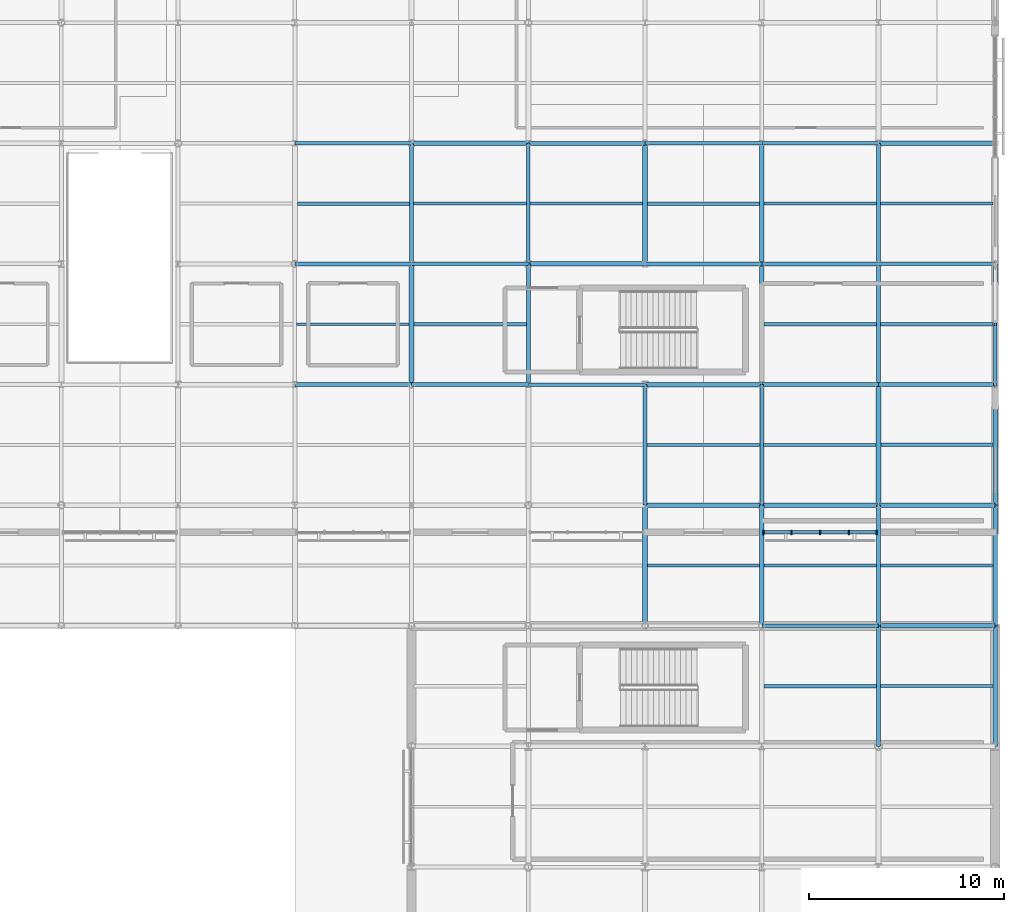
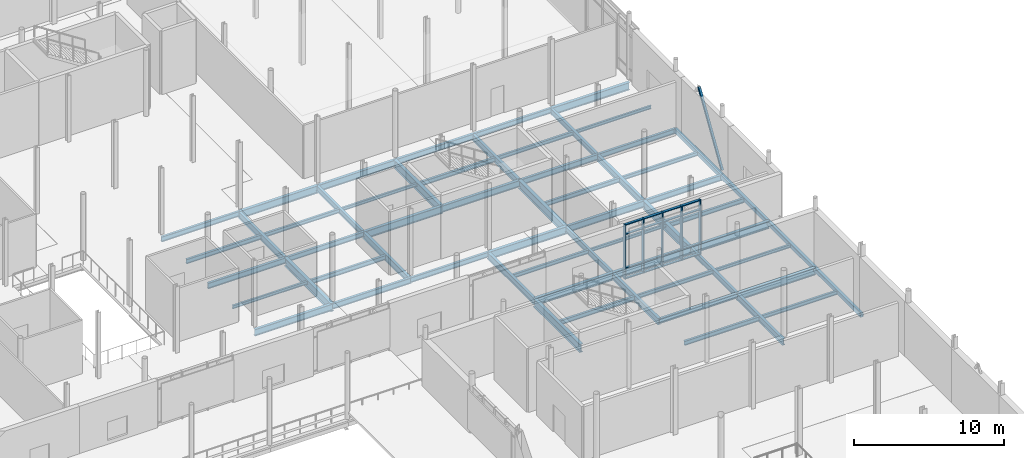
# One storey, part 48 of 105: 61 beams, 22 members, 1 element without a shape of its own.
"""IFC4 building model written with IfcOpenShell, lengths in metres."""

from ifc_helpers import new_model, si_unit, direction, frame, origin, origin_2d, place, context, subcontext, project, spatial, rectangle, hollow_rectangle, i_section, extrude, material, layer, layer_set, material_profile, profile_set, type_object, element, aggregate, save


model = new_model("IFC4")

# Units and contexts
model_context = context("Model", 3, precision=1e-05, world=origin(), true_north=direction((0.0, 1.0)))
body_context = subcontext(model_context, "Body", "Model", "MODEL_VIEW")
ifc_project = project(units=[si_unit("LENGTHUNIT", "METRE"), si_unit("AREAUNIT", "SQUARE_METRE"), si_unit("VOLUMEUNIT", "CUBIC_METRE"), si_unit("PLANEANGLEUNIT", "RADIAN"), si_unit("MASSUNIT", "GRAM", prefix="KILO")], contexts=[model_context])

# Site, building, storey
site_placement = place(None, origin())
site = spatial("IfcSite", under=ifc_project, at=site_placement, CompositionType="ELEMENT")
building_placement = place(site_placement, origin())
building = spatial("IfcBuilding", under=site, at=building_placement, Name="Mirzam Square Science Centre", CompositionType="ELEMENT")
storey_placement = place(building_placement, frame((0.0, 0.0, 5.39990234375)))
storey = spatial("IfcBuildingStorey", under=building, at=storey_placement, Name="L01", CompositionType="ELEMENT", Elevation=5.39990234375)

# Beams
ifc_material_1 = material(Name="Steel S355", Category="steel")
ifc_material_profile_1 = material_profile(ifc_material_1, i_section(OverallWidth=0.1787109375, OverallDepth=0.409423828125, WebThickness=0.0087890625, FlangeThickness=0.014404296875, FilletRadius=0.01025390625, at=origin_2d()), Name="406x178x67UB")
ifc_profile_set_1 = profile_set([ifc_material_profile_1], Name="Steel S355")
beam_type_1 = type_object("IfcBeamType", Name="BM-UB406", PredefinedType="BEAM", material=ifc_profile_set_1)
for number, where, z_axis, x_axis, name in (
    (1, (150.0, 37.199951171875, -0.464599609375), (1.0, 0.0, 0.0), (0.0, 1.0, 0.0), "L01 girder X26-7"),
    (2, (138.0, 49.60009765625, -0.45458984375), (1.0, 0.0, 0.0), (0.0, 1.0, 0.0), "L01 girder X24-9"),
    (3, (132.0, 55.800048828125, -0.45458984375), (1.0, 0.0, 0.0), (0.0, 1.0, 0.0), "L01 girder X23-10"),
    (4, (156.0, 55.800048828125, -0.45458984375), (1.0, 0.0, 0.0), (0.0, 1.0, 0.0), "L01 girder X27-10"),
    (5, (126.0, 62.0, -0.45458984375), (1.0, 0.0, 0.0), (0.0, 1.0, 0.0), "L01 girder X22-11"),
    (6, (150.0, 62.0, -0.45458984375), (1.0, 0.0, 0.0), (0.0, 1.0, 0.0), "L01 girder X26-11"),
):
    element("IfcBeam", number, at=place(storey_placement, frame(where, z_axis=z_axis, x_axis=x_axis)), inside=storey, type_object=beam_type_1, Name=name, PredefinedType="BEAM", context=body_context, shape_type="SweptSolid", body=[
        extrude(i_section(OverallWidth=0.1787109375, OverallDepth=0.409423828125, WebThickness=0.0087890625, FlangeThickness=0.014404296875, FilletRadius=0.01025390625, at=origin_2d()), origin(), (0.0, 0.0, 1.0), 6.0),
    ])
ifc_material_profile_2 = material_profile(ifc_material_1, i_section(OverallWidth=0.19140625, OverallDepth=0.4599609375, WebThickness=0.010009765625, FlangeThickness=0.01611328125, FilletRadius=0.01025390625, at=origin_2d()), Name="457x191x82UB")
ifc_profile_set_2 = profile_set([ifc_material_profile_2], Name="Steel S355")
beam_type_2 = type_object("IfcBeamType", Name="BM-UB457", PredefinedType="BEAM", material=ifc_profile_set_2)
for number, where, z_axis, x_axis, name in (
    (7, (132.0, 49.60009765625, -0.47998046875), (1.0, 0.0, 0.0), (0.0, 1.0, 0.0), "L01 girder X23-9"),
    (8, (156.0, 49.60009765625, -0.47998046875), (1.0, 0.0, 0.0), (0.0, 1.0, 0.0), "L01 girder X27-9"),
    (9, (126.0, 55.800048828125, -0.47998046875), (1.0, 0.0, 0.0), (0.0, 1.0, 0.0), "L01 girder X22-10"),
    (10, (150.0, 55.800048828125, -0.47998046875), (1.0, 0.0, 0.0), (0.0, 1.0, 0.0), "L01 girder X26-10"),
    (11, (144.0, 62.0, -0.47998046875), (1.0, 0.0, 0.0), (0.0, 1.0, 0.0), "L01 girder X25-11"),
):
    element("IfcBeam", number, at=place(storey_placement, frame(where, z_axis=z_axis, x_axis=x_axis)), inside=storey, type_object=beam_type_2, Name=name, PredefinedType="BEAM", context=body_context, shape_type="SweptSolid", body=[
        extrude(i_section(OverallWidth=0.19140625, OverallDepth=0.4599609375, WebThickness=0.010009765625, FlangeThickness=0.01611328125, FilletRadius=0.01025390625, at=origin_2d()), origin(), (0.0, 0.0, 1.0), 6.0),
    ])
beam_1_placement = place(storey_placement, frame((138.0, 55.800048828125, -0.47998046875), z_axis=(0.0, 1.0, 0.0), x_axis=(-1.0, 0.0, 0.0)))
element("IfcBeam", 12, at=beam_1_placement, inside=storey, type_object=beam_type_2, Name="L01 girder Y24-10", PredefinedType="BEAM", context=body_context, shape_type="SweptSolid", body=[
    extrude(i_section(OverallWidth=0.19140625, OverallDepth=0.4599609375, WebThickness=0.010009765625, FlangeThickness=0.01611328125, FilletRadius=0.01025390625, at=origin_2d()), origin(), (0.0, 0.0, 1.0), 6.199951171875),
])
beam_2_placement = place(storey_placement, frame((150.0, 43.39990234375, -0.47998046875), z_axis=(0.0, 1.0, 0.0), x_axis=(-1.0, 0.0, 0.0)))
element("IfcBeam", 13, at=beam_2_placement, inside=storey, type_object=beam_type_2, Name="L01 girder Y26-8", PredefinedType="BEAM", context=body_context, shape_type="SweptSolid", body=[
    extrude(i_section(OverallWidth=0.19140625, OverallDepth=0.4599609375, WebThickness=0.010009765625, FlangeThickness=0.01611328125, FilletRadius=0.01025390625, at=origin_2d()), origin(), (0.0, 0.0, 1.0), 6.2001953125),
])
for number, where, z_axis, x_axis, name in (
    (14, (156.0, 37.199951171875, -0.47998046875), (0.0, 1.0, 0.0), (-1.0, 0.0, 0.0), "L01 girder Y27-7"),
    (15, (156.0, 55.800048828125, -0.47998046875), (0.0, 1.0, 0.0), (-1.0, 0.0, 0.0), "L01 girder Y27-10"),
):
    element("IfcBeam", number, at=place(storey_placement, frame(where, z_axis=z_axis, x_axis=x_axis)), inside=storey, type_object=beam_type_2, Name=name, PredefinedType="BEAM", context=body_context, shape_type="SweptSolid", body=[
        extrude(i_section(OverallWidth=0.19140625, OverallDepth=0.4599609375, WebThickness=0.010009765625, FlangeThickness=0.01611328125, FilletRadius=0.01025390625, at=origin_2d()), origin(), (0.0, 0.0, 1.0), 6.199951171875),
    ])
ifc_material_profile_3 = material_profile(ifc_material_1, i_section(OverallWidth=0.2099609375, OverallDepth=0.53662109375, WebThickness=0.0107421875, FlangeThickness=0.017333984375, FilletRadius=0.0126953125, at=origin_2d()), Name="533x210x101UB")
ifc_profile_set_3 = profile_set([ifc_material_profile_3], Name="Steel S355")
beam_type_3 = type_object("IfcBeamType", Name="BM-UB533", PredefinedType="BEAM", material=ifc_profile_set_3)
for number, where, z_axis, x_axis, name in (
    (16, (126.0, 49.60009765625, -0.518310546875), (1.0, 0.0, 0.0), (0.0, 1.0, 0.0), "L01 girder X22-9"),
    (17, (150.0, 49.60009765625, -0.518310546875), (1.0, 0.0, 0.0), (0.0, 1.0, 0.0), "L01 girder X26-9"),
    (18, (144.0, 55.800048828125, -0.518310546875), (1.0, 0.0, 0.0), (0.0, 1.0, 0.0), "L01 girder X25-10"),
    (19, (138.0, 62.0, -0.518310546875), (1.0, 0.0, 0.0), (0.0, 1.0, 0.0), "L01 girder X24-11"),
):
    element("IfcBeam", number, at=place(storey_placement, frame(where, z_axis=z_axis, x_axis=x_axis)), inside=storey, type_object=beam_type_3, Name=name, PredefinedType="BEAM", context=body_context, shape_type="SweptSolid", body=[
        extrude(i_section(OverallWidth=0.2099609375, OverallDepth=0.53662109375, WebThickness=0.0107421875, FlangeThickness=0.017333984375, FilletRadius=0.0126953125, at=origin_2d()), origin(), (0.0, 0.0, 1.0), 6.0),
    ])
for number, where, z_axis, x_axis, name in (
    (20, (132.0, 55.800048828125, -0.518310546875), (0.0, 1.0, 0.0), (-1.0, 0.0, 0.0), "L01 girder Y23-10"),
    (21, (138.0, 49.60009765625, -0.518310546875), (0.0, 1.0, 0.0), (-1.0, 0.0, 0.0), "L01 girder Y24-9"),
):
    element("IfcBeam", number, at=place(storey_placement, frame(where, z_axis=z_axis, x_axis=x_axis)), inside=storey, type_object=beam_type_3, Name=name, PredefinedType="BEAM", context=body_context, shape_type="SweptSolid", body=[
        extrude(i_section(OverallWidth=0.2099609375, OverallDepth=0.53662109375, WebThickness=0.0107421875, FlangeThickness=0.017333984375, FilletRadius=0.0126953125, at=origin_2d()), origin(), (0.0, 0.0, 1.0), 6.199951171875),
    ])
beam_3_placement = place(storey_placement, frame((144.0, 43.39990234375, -0.518310546875), z_axis=(0.0, 1.0, 0.0), x_axis=(-1.0, 0.0, 0.0)))
element("IfcBeam", 22, at=beam_3_placement, inside=storey, type_object=beam_type_3, Name="L01 girder Y25-8", PredefinedType="BEAM", context=body_context, shape_type="SweptSolid", body=[
    extrude(i_section(OverallWidth=0.2099609375, OverallDepth=0.53662109375, WebThickness=0.0107421875, FlangeThickness=0.017333984375, FilletRadius=0.0126953125, at=origin_2d()), origin(), (0.0, 0.0, 1.0), 6.2001953125),
])
for number, where, z_axis, x_axis, name in (
    (23, (150.0, 37.199951171875, -0.518310546875), (0.0, 1.0, 0.0), (-1.0, 0.0, 0.0), "L01 girder Y26-7"),
    (24, (150.0, 55.800048828125, -0.518310546875), (0.0, 1.0, 0.0), (-1.0, 0.0, 0.0), "L01 girder Y26-10"),
    (25, (156.0, 31.0, -0.5283203125), (0.0, 1.0, 0.0), (-1.0, 0.0, 0.0), "L01 girder Y27-6"),
    (26, (156.0, 49.60009765625, -0.518310546875), (0.0, 1.0, 0.0), (-1.0, 0.0, 0.0), "L01 girder Y27-9"),
):
    element("IfcBeam", number, at=place(storey_placement, frame(where, z_axis=z_axis, x_axis=x_axis)), inside=storey, type_object=beam_type_3, Name=name, PredefinedType="BEAM", context=body_context, shape_type="SweptSolid", body=[
        extrude(i_section(OverallWidth=0.2099609375, OverallDepth=0.53662109375, WebThickness=0.0107421875, FlangeThickness=0.017333984375, FilletRadius=0.0126953125, at=origin_2d()), origin(), (0.0, 0.0, 1.0), 6.199951171875),
    ])
ifc_material_profile_4 = material_profile(ifc_material_1, i_section(OverallWidth=0.22900390625, OverallDepth=0.6123046875, WebThickness=0.011962890625, FlangeThickness=0.01953125, FilletRadius=0.0126953125, at=origin_2d()), Name="610x229x125UB")
ifc_profile_set_4 = profile_set([ifc_material_profile_4], Name="Steel S355")
beam_type_4 = type_object("IfcBeamType", Name="BM-UB610", PredefinedType="BEAM", material=ifc_profile_set_4)
for number, where, z_axis, x_axis, name in (
    (27, (156.0, 37.199951171875, -0.56591796875), (1.0, 0.0, 0.0), (0.0, 1.0, 0.0), "L01 girder X27-7"),
    (28, (144.0, 43.39990234375, -0.555908203125), (1.0, 0.0, 0.0), (0.0, 1.0, 0.0), "L01 girder X25-8"),
    (29, (150.0, 43.39990234375, -0.555908203125), (1.0, 0.0, 0.0), (0.0, 1.0, 0.0), "L01 girder X26-8"),
    (30, (156.0, 43.39990234375, -0.555908203125), (1.0, 0.0, 0.0), (0.0, 1.0, 0.0), "L01 girder X27-8"),
    (31, (144.0, 49.60009765625, -0.555908203125), (1.0, 0.0, 0.0), (0.0, 1.0, 0.0), "L01 girder X25-9"),
    (32, (138.0, 55.800048828125, -0.555908203125), (1.0, 0.0, 0.0), (0.0, 1.0, 0.0), "L01 girder X24-10"),
    (33, (132.0, 62.0, -0.555908203125), (1.0, 0.0, 0.0), (0.0, 1.0, 0.0), "L01 girder X23-11"),
    (34, (156.0, 62.0, -0.555908203125), (1.0, 0.0, 0.0), (0.0, 1.0, 0.0), "L01 girder X27-11"),
):
    element("IfcBeam", number, at=place(storey_placement, frame(where, z_axis=z_axis, x_axis=x_axis)), inside=storey, type_object=beam_type_4, Name=name, PredefinedType="BEAM", context=body_context, shape_type="SweptSolid", body=[
        extrude(i_section(OverallWidth=0.22900390625, OverallDepth=0.6123046875, WebThickness=0.011962890625, FlangeThickness=0.01953125, FilletRadius=0.0126953125, at=origin_2d()), origin(), (0.0, 0.0, 1.0), 6.0),
    ])
ifc_material_profile_5 = material_profile(ifc_material_1, i_section(OverallWidth=0.25439453125, OverallDepth=0.6875, WebThickness=0.01318359375, FlangeThickness=0.02099609375, FilletRadius=0.01513671875, at=origin_2d()), Name="686x254x152UB")
ifc_profile_set_5 = profile_set([ifc_material_profile_5], Name="Steel S355")
beam_type_5 = type_object("IfcBeamType", Name="BM-UB686", PredefinedType="BEAM", material=ifc_profile_set_5)
for number, where, z_axis, x_axis, name in (
    (35, (132.0, 49.60009765625, -0.593505859375), (0.0, 1.0, 0.0), (-1.0, 0.0, 0.0), "L01 girder Y23-9"),
    (36, (144.0, 37.199951171875, -0.593505859375), (0.0, 1.0, 0.0), (-1.0, 0.0, 0.0), "L01 girder Y25-7"),
    (37, (144.0, 55.800048828125, -0.593505859375), (0.0, 1.0, 0.0), (-1.0, 0.0, 0.0), "L01 girder Y25-10"),
    (38, (150.0, 49.60009765625, -0.593505859375), (0.0, 1.0, 0.0), (-1.0, 0.0, 0.0), "L01 girder Y26-9"),
):
    element("IfcBeam", number, at=place(storey_placement, frame(where, z_axis=z_axis, x_axis=x_axis)), inside=storey, type_object=beam_type_5, Name=name, PredefinedType="BEAM", context=body_context, shape_type="SweptSolid", body=[
        extrude(i_section(OverallWidth=0.25439453125, OverallDepth=0.6875, WebThickness=0.01318359375, FlangeThickness=0.02099609375, FilletRadius=0.01513671875, at=origin_2d()), origin(), (0.0, 0.0, 1.0), 6.199951171875),
    ])
beam_4_placement = place(storey_placement, frame((156.0, 43.39990234375, -0.593505859375), z_axis=(0.0, 1.0, 0.0), x_axis=(-1.0, 0.0, 0.0)))
element("IfcBeam", 39, at=beam_4_placement, inside=storey, type_object=beam_type_5, Name="L01 girder Y27-8", PredefinedType="BEAM", context=body_context, shape_type="SweptSolid", body=[
    extrude(i_section(OverallWidth=0.25439453125, OverallDepth=0.6875, WebThickness=0.01318359375, FlangeThickness=0.02099609375, FilletRadius=0.01513671875, at=origin_2d()), origin(), (0.0, 0.0, 1.0), 6.2001953125),
])

# Member
ifc_material_profile_6 = material_profile(ifc_material_1, hollow_rectangle(XDim=0.179931640625, YDim=0.179931640625, WallThickness=0.010009765625, InnerFilletRadius=0.010009765625, OuterFilletRadius=0.02001953125, at=origin_2d()), Name="180x180x10.0SHS")
ifc_profile_set_6 = profile_set([ifc_material_profile_6], Name="Steel S355")
member_type_1 = type_object("IfcMemberType", Name="BR-SHS180", PredefinedType="BRACE", material=ifc_profile_set_6)
member_1_placement = place(storey_placement, frame((162.0, 49.60009765625, 0.050048828125), z_axis=(0.0, 0.532677513074, 0.846318301271), x_axis=(-1.0, 0.0, 0.0)))
element("IfcMember", 40, at=member_1_placement, inside=storey, type_object=member_type_1, Name="L01 chevron brace 4A", PredefinedType="BRACE", context=body_context, shape_type="SweptSolid", body=[
    extrude(hollow_rectangle(XDim=0.179931640625, YDim=0.179931640625, WallThickness=0.010009765625, InnerFilletRadius=0.010009765625, OuterFilletRadius=0.02001953125, at=origin_2d()), origin(), (0.0, 0.0, 1.0), 5.8193359375),
])

# Curtain wall, members
ifc_material_2 = material(Name="Anodised Aluminium and Low-E Solar Glass", Category="aluminium")
ifc_layer = layer(ifc_material_2, 0.159912109375)
ifc_layer_set = layer_set([ifc_layer], Name="CW-COURT-B")
curtain_wall_type = type_object("IfcCurtainWallType", Name="CW-COURT-B", PredefinedType="USERDEFINED", material=ifc_layer_set)
curtain_wall_placement = place(storey_placement, origin())
curtain_wall = element("IfcCurtainWall", 41, at=curtain_wall_placement, inside=storey, type_object=curtain_wall_type, Name="L01 unitised curtain wall 84", ObjectType="UNITISED CURTAIN WALL", PredefinedType="USERDEFINED")
ifc_material_3 = material(Name="Anodised Architectural Aluminium 6063-T6", Category="aluminium")
ifc_material_profile_7 = material_profile(ifc_material_3, rectangle(XDim=0.074951171875, YDim=0.239990234375, at=origin_2d()), Name="ALU-MULL-240x75x5")
ifc_profile_set_7 = profile_set([ifc_material_profile_7], Name="Anodised Architectural Aluminium 6063-T6")
member_type_2 = type_object("IfcMemberType", Name="CWM-240", PredefinedType="MULLION", material=ifc_profile_set_7)
member_2_placement = place(storey_placement, frame((150.092529296875, 42.0, 0.0), z_axis=(0.0, 0.0, 1.0), x_axis=(1.0, 0.0, 0.0)))
member_2 = element("IfcMember", 42, at=member_2_placement, type_object=member_type_2, Name="CW-04 mullion 1", PredefinedType="MULLION", context=body_context, shape_type="SweptSolid", body=[
    extrude(rectangle(XDim=0.074951171875, YDim=0.239990234375, at=origin_2d()), origin(), (0.0, 0.0, 1.0), 4.440185546875),
])
member_3_placement = place(storey_placement, frame((151.527587890625, 42.0, 0.0), z_axis=(0.0, 0.0, 1.0), x_axis=(1.0, 0.0, 0.0)))
member_3 = element("IfcMember", 43, at=member_3_placement, type_object=member_type_2, Name="CW-04 mullion 2", PredefinedType="MULLION", context=body_context, shape_type="SweptSolid", body=[
    extrude(rectangle(XDim=0.074951171875, YDim=0.239990234375, at=origin_2d()), origin(), (0.0, 0.0, 1.0), 4.440185546875),
])
member_4_placement = place(storey_placement, frame((153.0, 42.0, 0.0), z_axis=(0.0, 0.0, 1.0), x_axis=(1.0, 0.0, 0.0)))
member_4 = element("IfcMember", 44, at=member_4_placement, type_object=member_type_2, Name="CW-04 mullion 3", PredefinedType="MULLION", context=body_context, shape_type="SweptSolid", body=[
    extrude(rectangle(XDim=0.074951171875, YDim=0.239990234375, at=origin_2d()), origin(), (0.0, 0.0, 1.0), 4.440185546875),
])
member_5_placement = place(storey_placement, frame((154.472412109375, 42.0, 0.0), z_axis=(0.0, 0.0, 1.0), x_axis=(1.0, 0.0, 0.0)))
member_5 = element("IfcMember", 45, at=member_5_placement, type_object=member_type_2, Name="CW-04 mullion 4", PredefinedType="MULLION", context=body_context, shape_type="SweptSolid", body=[
    extrude(rectangle(XDim=0.074951171875, YDim=0.239990234375, at=origin_2d()), origin(), (0.0, 0.0, 1.0), 4.440185546875),
])
member_6_placement = place(storey_placement, frame((155.907470703125, 42.0, 0.0), z_axis=(0.0, 0.0, 1.0), x_axis=(1.0, 0.0, 0.0)))
member_6 = element("IfcMember", 46, at=member_6_placement, type_object=member_type_2, Name="CW-04 mullion 5", PredefinedType="MULLION", context=body_context, shape_type="SweptSolid", body=[
    extrude(rectangle(XDim=0.074951171875, YDim=0.239990234375, at=origin_2d()), origin(), (0.0, 0.0, 1.0), 4.440185546875),
])
ifc_material_profile_8 = material_profile(ifc_material_3, rectangle(XDim=0.179931640625, YDim=0.074951171875, at=origin_2d()), Name="ALU-TRAN-180x75x5")
ifc_profile_set_8 = profile_set([ifc_material_profile_8], Name="Anodised Architectural Aluminium 6063-T6")
member_type_3 = type_object("IfcMemberType", Name="CWT-180", PredefinedType="USERDEFINED", material=ifc_profile_set_8)
member_7_placement = place(storey_placement, frame((150.1298828125, 42.0, 0.03759765625), z_axis=(1.0, 0.0, 0.0), x_axis=(0.0, 1.0, 0.0)))
member_7 = element("IfcMember", 47, at=member_7_placement, type_object=member_type_3, Name="CW-04 transom 1.1", ObjectType="TRANSOM", PredefinedType="USERDEFINED", context=body_context, shape_type="SweptSolid", body=[
    extrude(rectangle(XDim=0.179931640625, YDim=0.074951171875, at=origin_2d()), origin(), (0.0, 0.0, 1.0), 1.360107421875),
])
member_8_placement = place(storey_placement, frame((150.1298828125, 42.0, 0.900146484375), z_axis=(1.0, 0.0, 0.0), x_axis=(0.0, 1.0, 0.0)))
member_8 = element("IfcMember", 48, at=member_8_placement, type_object=member_type_3, Name="CW-04 transom 1.2", ObjectType="TRANSOM", PredefinedType="USERDEFINED", context=body_context, shape_type="SweptSolid", body=[
    extrude(rectangle(XDim=0.179931640625, YDim=0.074951171875, at=origin_2d()), origin(), (0.0, 0.0, 1.0), 1.360107421875),
])
member_9_placement = place(storey_placement, frame((150.1298828125, 42.0, 3.64013671875), z_axis=(1.0, 0.0, 0.0), x_axis=(0.0, 1.0, 0.0)))
member_9 = element("IfcMember", 49, at=member_9_placement, type_object=member_type_3, Name="CW-04 transom 1.3", ObjectType="TRANSOM", PredefinedType="USERDEFINED", context=body_context, shape_type="SweptSolid", body=[
    extrude(rectangle(XDim=0.179931640625, YDim=0.074951171875, at=origin_2d()), origin(), (0.0, 0.0, 1.0), 1.360107421875),
])
member_10_placement = place(storey_placement, frame((150.1298828125, 42.0, 4.402587890625), z_axis=(1.0, 0.0, 0.0), x_axis=(0.0, 1.0, 0.0)))
member_10 = element("IfcMember", 50, at=member_10_placement, type_object=member_type_3, Name="CW-04 transom 1.4", ObjectType="TRANSOM", PredefinedType="USERDEFINED", context=body_context, shape_type="SweptSolid", body=[
    extrude(rectangle(XDim=0.179931640625, YDim=0.074951171875, at=origin_2d()), origin(), (0.0, 0.0, 1.0), 1.360107421875),
])
member_11_placement = place(storey_placement, frame((151.56494140625, 42.0, 0.03759765625), z_axis=(1.0, 0.0, 0.0), x_axis=(0.0, 1.0, 0.0)))
member_11 = element("IfcMember", 51, at=member_11_placement, type_object=member_type_3, Name="CW-04 transom 2.1", ObjectType="TRANSOM", PredefinedType="USERDEFINED", context=body_context, shape_type="SweptSolid", body=[
    extrude(rectangle(XDim=0.179931640625, YDim=0.074951171875, at=origin_2d()), origin(), (0.0, 0.0, 1.0), 1.3974609375),
])
member_12_placement = place(storey_placement, frame((151.56494140625, 42.0, 0.900146484375), z_axis=(1.0, 0.0, 0.0), x_axis=(0.0, 1.0, 0.0)))
member_12 = element("IfcMember", 52, at=member_12_placement, type_object=member_type_3, Name="CW-04 transom 2.2", ObjectType="TRANSOM", PredefinedType="USERDEFINED", context=body_context, shape_type="SweptSolid", body=[
    extrude(rectangle(XDim=0.179931640625, YDim=0.074951171875, at=origin_2d()), origin(), (0.0, 0.0, 1.0), 1.3974609375),
])
member_13_placement = place(storey_placement, frame((151.56494140625, 42.0, 3.64013671875), z_axis=(1.0, 0.0, 0.0), x_axis=(0.0, 1.0, 0.0)))
member_13 = element("IfcMember", 53, at=member_13_placement, type_object=member_type_3, Name="CW-04 transom 2.3", ObjectType="TRANSOM", PredefinedType="USERDEFINED", context=body_context, shape_type="SweptSolid", body=[
    extrude(rectangle(XDim=0.179931640625, YDim=0.074951171875, at=origin_2d()), origin(), (0.0, 0.0, 1.0), 1.3974609375),
])
member_14_placement = place(storey_placement, frame((151.56494140625, 42.0, 4.402587890625), z_axis=(1.0, 0.0, 0.0), x_axis=(0.0, 1.0, 0.0)))
member_14 = element("IfcMember", 54, at=member_14_placement, type_object=member_type_3, Name="CW-04 transom 2.4", ObjectType="TRANSOM", PredefinedType="USERDEFINED", context=body_context, shape_type="SweptSolid", body=[
    extrude(rectangle(XDim=0.179931640625, YDim=0.074951171875, at=origin_2d()), origin(), (0.0, 0.0, 1.0), 1.3974609375),
])
member_15_placement = place(storey_placement, frame((153.03759765625, 42.0, 0.03759765625), z_axis=(1.0, 0.0, 0.0), x_axis=(0.0, 1.0, 0.0)))
member_15 = element("IfcMember", 55, at=member_15_placement, type_object=member_type_3, Name="CW-04 transom 3.1", ObjectType="TRANSOM", PredefinedType="USERDEFINED", context=body_context, shape_type="SweptSolid", body=[
    extrude(rectangle(XDim=0.179931640625, YDim=0.074951171875, at=origin_2d()), origin(), (0.0, 0.0, 1.0), 1.3974609375),
])
member_16_placement = place(storey_placement, frame((153.03759765625, 42.0, 0.900146484375), z_axis=(1.0, 0.0, 0.0), x_axis=(0.0, 1.0, 0.0)))
member_16 = element("IfcMember", 56, at=member_16_placement, type_object=member_type_3, Name="CW-04 transom 3.2", ObjectType="TRANSOM", PredefinedType="USERDEFINED", context=body_context, shape_type="SweptSolid", body=[
    extrude(rectangle(XDim=0.179931640625, YDim=0.074951171875, at=origin_2d()), origin(), (0.0, 0.0, 1.0), 1.3974609375),
])
member_17_placement = place(storey_placement, frame((153.03759765625, 42.0, 3.64013671875), z_axis=(1.0, 0.0, 0.0), x_axis=(0.0, 1.0, 0.0)))
member_17 = element("IfcMember", 57, at=member_17_placement, type_object=member_type_3, Name="CW-04 transom 3.3", ObjectType="TRANSOM", PredefinedType="USERDEFINED", context=body_context, shape_type="SweptSolid", body=[
    extrude(rectangle(XDim=0.179931640625, YDim=0.074951171875, at=origin_2d()), origin(), (0.0, 0.0, 1.0), 1.3974609375),
])
member_18_placement = place(storey_placement, frame((153.03759765625, 42.0, 4.402587890625), z_axis=(1.0, 0.0, 0.0), x_axis=(0.0, 1.0, 0.0)))
member_18 = element("IfcMember", 58, at=member_18_placement, type_object=member_type_3, Name="CW-04 transom 3.4", ObjectType="TRANSOM", PredefinedType="USERDEFINED", context=body_context, shape_type="SweptSolid", body=[
    extrude(rectangle(XDim=0.179931640625, YDim=0.074951171875, at=origin_2d()), origin(), (0.0, 0.0, 1.0), 1.3974609375),
])
member_19_placement = place(storey_placement, frame((154.510009765625, 42.0, 0.03759765625), z_axis=(1.0, 0.0, 0.0), x_axis=(0.0, 1.0, 0.0)))
member_19 = element("IfcMember", 59, at=member_19_placement, type_object=member_type_3, Name="CW-04 transom 4.1", ObjectType="TRANSOM", PredefinedType="USERDEFINED", context=body_context, shape_type="SweptSolid", body=[
    extrude(rectangle(XDim=0.179931640625, YDim=0.074951171875, at=origin_2d()), origin(), (0.0, 0.0, 1.0), 1.360107421875),
])
member_20_placement = place(storey_placement, frame((154.510009765625, 42.0, 0.900146484375), z_axis=(1.0, 0.0, 0.0), x_axis=(0.0, 1.0, 0.0)))
member_20 = element("IfcMember", 60, at=member_20_placement, type_object=member_type_3, Name="CW-04 transom 4.2", ObjectType="TRANSOM", PredefinedType="USERDEFINED", context=body_context, shape_type="SweptSolid", body=[
    extrude(rectangle(XDim=0.179931640625, YDim=0.074951171875, at=origin_2d()), origin(), (0.0, 0.0, 1.0), 1.360107421875),
])
member_21_placement = place(storey_placement, frame((154.510009765625, 42.0, 3.64013671875), z_axis=(1.0, 0.0, 0.0), x_axis=(0.0, 1.0, 0.0)))
member_21 = element("IfcMember", 61, at=member_21_placement, type_object=member_type_3, Name="CW-04 transom 4.3", ObjectType="TRANSOM", PredefinedType="USERDEFINED", context=body_context, shape_type="SweptSolid", body=[
    extrude(rectangle(XDim=0.179931640625, YDim=0.074951171875, at=origin_2d()), origin(), (0.0, 0.0, 1.0), 1.360107421875),
])
member_22_placement = place(storey_placement, frame((154.510009765625, 42.0, 4.402587890625), z_axis=(1.0, 0.0, 0.0), x_axis=(0.0, 1.0, 0.0)))
member_22 = element("IfcMember", 62, at=member_22_placement, type_object=member_type_3, Name="CW-04 transom 4.4", ObjectType="TRANSOM", PredefinedType="USERDEFINED", context=body_context, shape_type="SweptSolid", body=[
    extrude(rectangle(XDim=0.179931640625, YDim=0.074951171875, at=origin_2d()), origin(), (0.0, 0.0, 1.0), 1.360107421875),
])
aggregate(curtain_wall, [member_2, member_3, member_4, member_5, member_6, member_7, member_8, member_9, member_10, member_11, member_12, member_13, member_14, member_15, member_16, member_17, member_18, member_19, member_20, member_21, member_22])

# Beams
ifc_material_profile_9 = material_profile(ifc_material_1, i_section(OverallWidth=0.146484375, OverallDepth=0.256103515625, WebThickness=0.00634765625, FlangeThickness=0.010986328125, FilletRadius=0.007568359375, at=origin_2d()), Name="254x146x37UB")
ifc_profile_set_9 = profile_set([ifc_material_profile_9], Name="Steel S355")
beam_type_6 = type_object("IfcBeamType", Name="JS-UB254", PredefinedType="JOIST", material=ifc_profile_set_9)
for number, where, z_axis, x_axis, name in (
    (63, (126.095703125, 52.699951171875, -0.3779296875), (1.0, 0.0, 0.0), (0.0, 1.0, 0.0), "L01 composite joist 22-9"),
    (64, (138.095703125, 58.89990234375, -0.3779296875), (1.0, 0.0, 0.0), (0.0, 1.0, 0.0), "L01 composite joist 24-10"),
    (65, (150.095703125, 46.5, -0.3779296875), (1.0, 0.0, 0.0), (0.0, 1.0, 0.0), "L01 composite joist 26-8"),
):
    element("IfcBeam", number, at=place(storey_placement, frame(where, z_axis=z_axis, x_axis=x_axis)), inside=storey, type_object=beam_type_6, Name=name, PredefinedType="JOIST", context=body_context, shape_type="SweptSolid", body=[
        extrude(i_section(OverallWidth=0.146484375, OverallDepth=0.256103515625, WebThickness=0.00634765625, FlangeThickness=0.010986328125, FilletRadius=0.007568359375, at=origin_2d()), origin(), (0.0, 0.0, 1.0), 5.777099609375),
    ])
for number, where, z_axis, x_axis, name in (
    (66, (156.095703125, 40.300048828125, -0.3779296875), (1.0, 0.0, 0.0), (0.0, 1.0, 0.0), "L01 composite joist 27-7"),
    (67, (156.095703125, 58.89990234375, -0.3779296875), (1.0, 0.0, 0.0), (0.0, 1.0, 0.0), "L01 composite joist 27-10"),
):
    element("IfcBeam", number, at=place(storey_placement, frame(where, z_axis=z_axis, x_axis=x_axis)), inside=storey, type_object=beam_type_6, Name=name, PredefinedType="JOIST", context=body_context, shape_type="SweptSolid", body=[
        extrude(i_section(OverallWidth=0.146484375, OverallDepth=0.256103515625, WebThickness=0.00634765625, FlangeThickness=0.010986328125, FilletRadius=0.007568359375, at=origin_2d()), origin(), (0.0, 0.0, 1.0), 5.779296875),
    ])
ifc_material_profile_10 = material_profile(ifc_material_1, i_section(OverallWidth=0.165771484375, OverallDepth=0.306640625, WebThickness=0.006591796875, FlangeThickness=0.01171875, FilletRadius=0.0087890625, at=origin_2d()), Name="305x165x46UB")
ifc_profile_set_10 = profile_set([ifc_material_profile_10], Name="Steel S355")
beam_type_7 = type_object("IfcBeamType", Name="JS-UB305", PredefinedType="JOIST", material=ifc_profile_set_10)
for number, where, z_axis, x_axis, name in (
    (68, (132.10498046875, 58.89990234375, -0.4033203125), (1.0, 0.0, 0.0), (0.0, 1.0, 0.0), "L01 composite joist 23-10"),
    (69, (144.10498046875, 46.5, -0.4033203125), (1.0, 0.0, 0.0), (0.0, 1.0, 0.0), "L01 composite joist 25-8"),
    (70, (150.10498046875, 40.300048828125, -0.4033203125), (1.0, 0.0, 0.0), (0.0, 1.0, 0.0), "L01 composite joist 26-7"),
    (71, (150.10498046875, 58.89990234375, -0.4033203125), (1.0, 0.0, 0.0), (0.0, 1.0, 0.0), "L01 composite joist 26-10"),
):
    element("IfcBeam", number, at=place(storey_placement, frame(where, z_axis=z_axis, x_axis=x_axis)), inside=storey, type_object=beam_type_7, Name=name, PredefinedType="JOIST", context=body_context, shape_type="SweptSolid", body=[
        extrude(i_section(OverallWidth=0.165771484375, OverallDepth=0.306640625, WebThickness=0.006591796875, FlangeThickness=0.01171875, FilletRadius=0.0087890625, at=origin_2d()), origin(), (0.0, 0.0, 1.0), 5.79931640625),
    ])
for number, where, z_axis, x_axis, name in (
    (72, (156.10498046875, 34.10009765625, -0.4130859375), (1.0, 0.0, 0.0), (0.0, 1.0, 0.0), "L01 composite joist 27-6"),
    (73, (156.10498046875, 52.699951171875, -0.4033203125), (1.0, 0.0, 0.0), (0.0, 1.0, 0.0), "L01 composite joist 27-9"),
):
    element("IfcBeam", number, at=place(storey_placement, frame(where, z_axis=z_axis, x_axis=x_axis)), inside=storey, type_object=beam_type_7, Name=name, PredefinedType="JOIST", context=body_context, shape_type="SweptSolid", body=[
        extrude(i_section(OverallWidth=0.165771484375, OverallDepth=0.306640625, WebThickness=0.006591796875, FlangeThickness=0.01171875, FilletRadius=0.0087890625, at=origin_2d()), origin(), (0.0, 0.0, 1.0), 5.77001953125),
    ])
ifc_material_profile_11 = material_profile(ifc_material_1, i_section(OverallWidth=0.172119140625, OverallDepth=0.35791015625, WebThickness=0.008056640625, FlangeThickness=0.012939453125, FilletRadius=0.01025390625, at=origin_2d()), Name="356x171x57UB")
ifc_profile_set_11 = profile_set([ifc_material_profile_11], Name="Steel S355")
beam_type_8 = type_object("IfcBeamType", Name="JS-UB356", PredefinedType="JOIST", material=ifc_profile_set_11)
for number, where, z_axis, x_axis, name in (
    (74, (126.127197265625, 58.89990234375, -0.428955078125), (1.0, 0.0, 0.0), (0.0, 1.0, 0.0), "L01 composite joist 22-10"),
    (75, (132.127197265625, 52.699951171875, -0.428955078125), (1.0, 0.0, 0.0), (0.0, 1.0, 0.0), "L01 composite joist 23-9"),
    (76, (144.127197265625, 40.300048828125, -0.428955078125), (1.0, 0.0, 0.0), (0.0, 1.0, 0.0), "L01 composite joist 25-7"),
    (77, (144.127197265625, 58.89990234375, -0.428955078125), (1.0, 0.0, 0.0), (0.0, 1.0, 0.0), "L01 composite joist 25-10"),
    (78, (150.127197265625, 34.10009765625, -0.43896484375), (1.0, 0.0, 0.0), (0.0, 1.0, 0.0), "L01 composite joist 26-6"),
    (79, (150.127197265625, 52.699951171875, -0.428955078125), (1.0, 0.0, 0.0), (0.0, 1.0, 0.0), "L01 composite joist 26-9"),
):
    element("IfcBeam", number, at=place(storey_placement, frame(where, z_axis=z_axis, x_axis=x_axis)), inside=storey, type_object=beam_type_8, Name=name, PredefinedType="JOIST", context=body_context, shape_type="SweptSolid", body=[
        extrude(i_section(OverallWidth=0.172119140625, OverallDepth=0.35791015625, WebThickness=0.008056640625, FlangeThickness=0.012939453125, FilletRadius=0.01025390625, at=origin_2d()), origin(), (0.0, 0.0, 1.0), 5.767822265625),
    ])
beam_5_placement = place(storey_placement, frame((156.127197265625, 46.5, -0.428955078125), z_axis=(1.0, 0.0, 0.0), x_axis=(0.0, 1.0, 0.0)))
element("IfcBeam", 80, at=beam_5_placement, inside=storey, type_object=beam_type_8, Name="L01 composite joist 27-8", PredefinedType="JOIST", context=body_context, shape_type="SweptSolid", body=[
    extrude(i_section(OverallWidth=0.172119140625, OverallDepth=0.35791015625, WebThickness=0.008056640625, FlangeThickness=0.012939453125, FilletRadius=0.01025390625, at=origin_2d()), origin(), (0.0, 0.0, 1.0), 5.747802734375),
])
ifc_material_profile_12 = material_profile(ifc_material_1, hollow_rectangle(XDim=0.25, YDim=0.35009765625, WallThickness=0.012451171875, InnerFilletRadius=0.012451171875, OuterFilletRadius=0.02490234375, at=origin_2d()), Name="350x250x12.5RHS")
ifc_profile_set_12 = profile_set([ifc_material_profile_12], Name="Steel S355")
beam_type_9 = type_object("IfcBeamType", Name="SP-RHS350", PredefinedType="SPANDREL", material=ifc_profile_set_12)
for number, where, z_axis, x_axis, name in (
    (81, (162.0, 31.0, -0.434814453125), (0.0, 1.0, 0.0), (-1.0, 0.0, 0.0), "L01 girder Y28-6"),
    (82, (162.0, 37.199951171875, -0.4248046875), (0.0, 1.0, 0.0), (-1.0, 0.0, 0.0), "L01 girder Y28-7"),
):
    element("IfcBeam", number, at=place(storey_placement, frame(where, z_axis=z_axis, x_axis=x_axis)), inside=storey, type_object=beam_type_9, Name=name, PredefinedType="SPANDREL", context=body_context, shape_type="SweptSolid", body=[
        extrude(hollow_rectangle(XDim=0.25, YDim=0.35009765625, WallThickness=0.012451171875, InnerFilletRadius=0.012451171875, OuterFilletRadius=0.02490234375, at=origin_2d()), origin(), (0.0, 0.0, 1.0), 6.199951171875),
    ])
beam_6_placement = place(storey_placement, frame((162.0, 43.39990234375, -0.4248046875), z_axis=(0.0, 1.0, 0.0), x_axis=(-1.0, 0.0, 0.0)))
element("IfcBeam", 83, at=beam_6_placement, inside=storey, type_object=beam_type_9, Name="L01 girder Y28-8", PredefinedType="SPANDREL", context=body_context, shape_type="SweptSolid", body=[
    extrude(hollow_rectangle(XDim=0.25, YDim=0.35009765625, WallThickness=0.012451171875, InnerFilletRadius=0.012451171875, OuterFilletRadius=0.02490234375, at=origin_2d()), origin(), (0.0, 0.0, 1.0), 6.2001953125),
])
beam_7_placement = place(storey_placement, frame((162.0, 49.60009765625, -0.4248046875), z_axis=(0.0, 1.0, 0.0), x_axis=(-1.0, 0.0, 0.0)))
element("IfcBeam", 84, at=beam_7_placement, inside=storey, type_object=beam_type_9, Name="L01 girder Y28-9", PredefinedType="SPANDREL", context=body_context, shape_type="SweptSolid", body=[
    extrude(hollow_rectangle(XDim=0.25, YDim=0.35009765625, WallThickness=0.012451171875, InnerFilletRadius=0.012451171875, OuterFilletRadius=0.02490234375, at=origin_2d()), origin(), (0.0, 0.0, 1.0), 6.199951171875),
])

save(model, "model.ifc")
